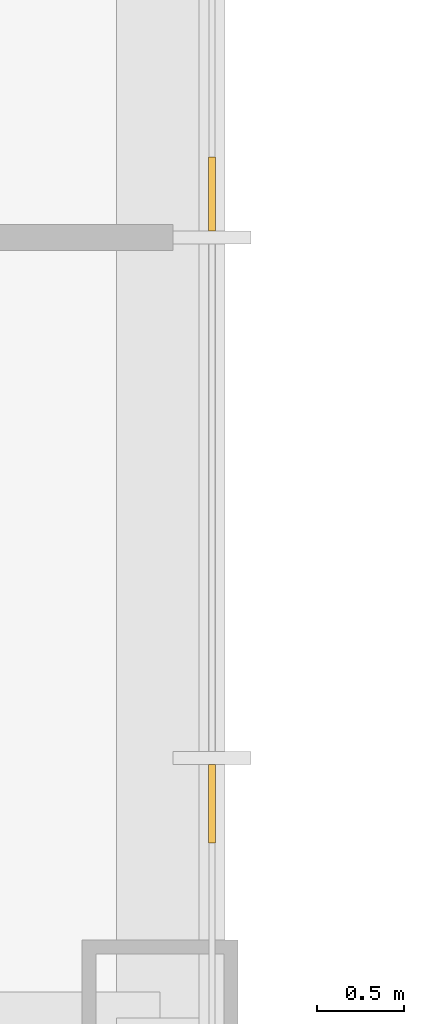
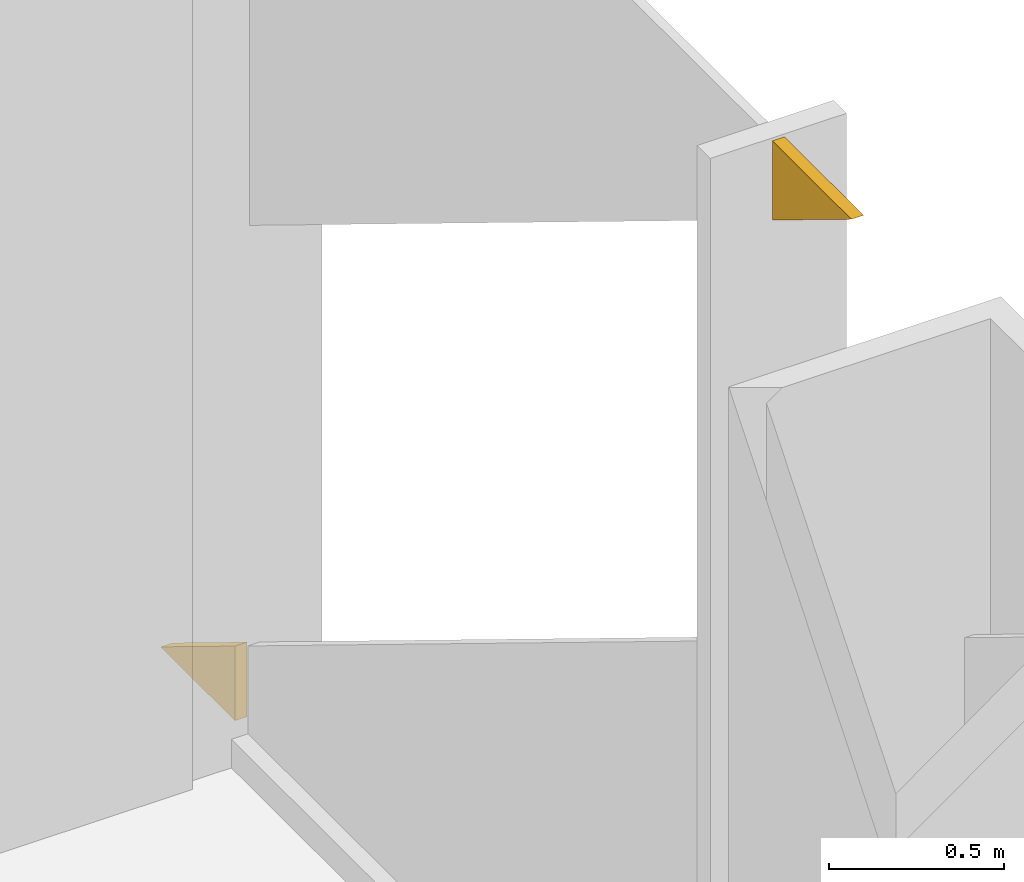
# One storey, part 15 of 17: 2 coverings.
"""IFC4 building model written with IfcOpenShell, lengths in metres."""

import ifcopenshell
import ifcopenshell.guid

model = None  # the IFC model being written
_history = None  # IfcOwnerHistory: only IFC2X3 demands one
_inside = {}  # id of a spatial element -> (the spatial element, [elements in it])
_under = {}  # id of a project, library or spatial element -> (it, [spatial elements below it])
_declared = {}  # id of a project -> (the project, [libraries it declares])
_typed = {}  # id of a type object -> (the type object, [elements of that type])
_made_of = {}  # id of a material, layer set ... -> (it, [elements and type objects made of it])


def new_model(schema):
    """Start an empty IFC model of exactly this schema.

    Asked for "IFC4X3", IfcOpenShell would pick the latest addendum, in which some entities
    have other attributes; the version numbers below select the first issue.
    IFC2X3 requires an IfcOwnerHistory on every rooted entity: one is made here for all.
    """
    global model, _history
    if schema == "IFC4X3":
        model = ifcopenshell.file(schema_version=(4, 3, 0, 0))
    else:
        model = ifcopenshell.file(schema=schema)
    _inside.clear()
    _under.clear()
    _declared.clear()
    _typed.clear()
    _made_of.clear()
    _history = None
    if model.schema == "IFC2X3":
        org = make("IfcOrganization", Name="unknown")
        user = make(
            "IfcPersonAndOrganization",
            ThePerson=make("IfcPerson", FamilyName="unknown"),
            TheOrganization=org,
        )
        app = make(
            "IfcApplication",
            ApplicationDeveloper=org,
            Version="unknown",
            ApplicationFullName="unknown",
            ApplicationIdentifier="unknown",
        )
        _history = make(
            "IfcOwnerHistory",
            OwningUser=user,
            OwningApplication=app,
            ChangeAction="ADDED",
            CreationDate=0,
        )
    return model


def make(cls, **values):
    """One entity of the class cls with the attributes given. An attribute that is None is left unset."""
    return model.create_entity(
        cls, **{name: value for name, value in values.items() if value is not None}
    )


def rooted(cls, **values):
    """An entity with a GlobalId (a new one), such as an element, a storey or a relation."""
    return make(cls, GlobalId=ifcopenshell.guid.new(), OwnerHistory=_history, **values)


def si_unit(unit_type, name, prefix=None):
    """IfcSIUnit, for example si_unit("LENGTHUNIT", "METRE", prefix="MILLI")."""
    return make("IfcSIUnit", UnitType=unit_type, Prefix=prefix, Name=name)


def assignment(units):
    """IfcUnitAssignment: the units of a project."""
    return None if units is None else make("IfcUnitAssignment", Units=units)


def point(xyz):
    """IfcCartesianPoint."""
    return None if xyz is None else make("IfcCartesianPoint", Coordinates=xyz)


def direction(xyz):
    """IfcDirection."""
    return None if xyz is None else make("IfcDirection", DirectionRatios=xyz)


def frame(location, z_axis=None, x_axis=None):
    """IfcAxis2Placement3D, a coordinate frame: its origin and axes. An axis left out is left unset."""
    return make(
        "IfcAxis2Placement3D",
        Location=point(location),
        Axis=direction(z_axis),
        RefDirection=direction(x_axis),
    )


def origin():
    """The frame at (0, 0, 0) with its axes left unset."""
    return frame((0.0, 0.0, 0.0))


def place(relative_to, where):
    """IfcLocalPlacement: puts the frame where relative to a parent placement (None: the world)."""
    return make(
        "IfcLocalPlacement", PlacementRelTo=relative_to, RelativePlacement=where
    )


def context(
    kind, dimensions, precision=None, world=None, true_north=None, identifier=None
):
    """IfcGeometricRepresentationContext, for example the 3D "Model" context."""
    return make(
        "IfcGeometricRepresentationContext",
        ContextIdentifier=identifier,
        ContextType=kind,
        CoordinateSpaceDimension=dimensions,
        Precision=precision,
        WorldCoordinateSystem=world,
        TrueNorth=true_north,
    )


def subcontext(parent, identifier, kind, view, scale=None):
    """IfcGeometricRepresentationSubContext, for example "Body" below "Model"."""
    return make(
        "IfcGeometricRepresentationSubContext",
        ContextIdentifier=identifier,
        ContextType=kind,
        ParentContext=parent,
        TargetScale=scale,
        TargetView=view,
    )


def project(units=None, contexts=None):
    """IfcProject with its units and contexts."""
    return rooted(
        "IfcProject",
        Name="project",
        RepresentationContexts=contexts,
        UnitsInContext=assignment(units),
    )


def spatial(cls, under=None, at=None, **own):
    """A site, building, storey or space (cls), placed at a placement, below another one or the project."""
    s = rooted(cls, ObjectPlacement=at, **own)
    if under is not None:
        _under.setdefault(under.id(), (under, []))[1].append(s)
    return s


def polyline(points):
    """IfcPolyline through the points."""
    return make("IfcPolyline", Points=[point(p) for p in points])


def outline(outer, holes=None, kind="AREA"):
    """IfcArbitraryClosedProfileDef: a profile drawn as a closed curve; with holes, ...WithVoids."""
    if holes is None:
        return make("IfcArbitraryClosedProfileDef", ProfileType=kind, OuterCurve=outer)
    return make(
        "IfcArbitraryProfileDefWithVoids",
        ProfileType=kind,
        OuterCurve=outer,
        InnerCurves=holes,
    )


def extrude(swept, where, along, depth):
    """IfcExtrudedAreaSolid: the profile swept, set in the frame where, extruded along a direction by depth."""
    return make(
        "IfcExtrudedAreaSolid",
        SweptArea=swept,
        Position=where,
        ExtrudedDirection=direction(along),
        Depth=depth,
    )


def shape(context_of_items, identifier, shape_type, items):
    """IfcShapeRepresentation: the items that make up one representation, for example the "Body"."""
    return make(
        "IfcShapeRepresentation",
        ContextOfItems=context_of_items,
        RepresentationIdentifier=identifier,
        RepresentationType=shape_type,
        Items=items,
    )


def material(Name=None, Category=None):
    """IfcMaterial."""
    return make("IfcMaterial", Name=Name, Category=Category)


def layer(
    of_material, thickness, ventilated=None, Name=None, Category=None, Priority=None
):
    """IfcMaterialLayer: one layer of a wall or slab, of a material (None: an air gap)."""
    return make(
        "IfcMaterialLayer",
        Material=of_material,
        LayerThickness=thickness,
        IsVentilated=ventilated,
        Name=Name,
        Category=Category,
        Priority=Priority,
    )


def layer_set(layers, Name=None):
    """IfcMaterialLayerSet."""
    return make("IfcMaterialLayerSet", MaterialLayers=layers, LayerSetName=Name)


def made_of(thing, what):
    """Note that an element or type object is made of a material, layer set ...; save() writes the relation."""
    if what is not None:
        _made_of.setdefault(what.id(), (what, []))[1].append(thing)
    return thing


def type_object(cls, material=None, **own):
    """A type object (cls), such as IfcWallType, which elements share."""
    return made_of(rooted(cls, **own), material)


def element(
    cls,
    number,
    at=None,
    inside=None,
    cuts=None,
    type_object=None,
    material=None,
    context=None,
    identifier="Body",
    shape_type=None,
    held_by="IfcProductDefinitionShape",
    body=None,
    shapes=None,
    **own,
):
    """One element of the class cls, such as IfcWall. Its Tag is "e" and its number.

    at: its placement. inside: the storey or other place that contains it. cuts: it is an
    opening in that element (IfcRelVoidsElement). A single representation is given by context,
    identifier, shape_type and body (its items); several are given by shapes. held_by: the class
    of the entity that holds the representations. save() writes the other relations.
    """
    e = rooted(cls, Tag="e%d" % number, ObjectPlacement=at, **own)
    if body is not None:
        shapes = [shape(context, identifier, shape_type, body)]
    if shapes is not None:
        e.Representation = make(held_by, Representations=shapes)
    if inside is not None:
        _inside.setdefault(inside.id(), (inside, []))[1].append(e)
    if cuts is not None:
        rooted(
            "IfcRelVoidsElement", RelatingBuildingElement=cuts, RelatedOpeningElement=e
        )
    if type_object is not None:
        _typed.setdefault(type_object.id(), (type_object, []))[1].append(e)
    return made_of(e, material)


def aggregate(whole, parts):
    """IfcRelAggregates: a whole, such as a stair, and the parts it consists of."""
    return rooted("IfcRelAggregates", RelatingObject=whole, RelatedObjects=parts)


def save(model, path):
    """Write the relations noted so far, then the file.

    IfcRelAggregates (storeys below a building ...), IfcRelContainedInSpatialStructure (elements
    in a storey), IfcRelDefinesByType, IfcRelAssociatesMaterial and IfcRelDeclares: one each for
    every whole, place, type object, material and project.
    """
    for whole, parts in _under.values():
        aggregate(whole, parts)
    for where, things in _inside.values():
        rooted(
            "IfcRelContainedInSpatialStructure",
            RelatedElements=things,
            RelatingStructure=where,
        )
    for kind, things in _typed.values():
        rooted("IfcRelDefinesByType", RelatedObjects=things, RelatingType=kind)
    for what, things in _made_of.values():
        rooted("IfcRelAssociatesMaterial", RelatedObjects=things, RelatingMaterial=what)
    for by, libraries in _declared.values():
        rooted("IfcRelDeclares", RelatingContext=by, RelatedDefinitions=libraries)
    model.write(path)


model = new_model("IFC4")

# Units and contexts
model_context = context("Model", 3, precision=1e-05, world=origin(), true_north=direction((0.0, 1.0)))
body_context = subcontext(model_context, "Body", "Model", "MODEL_VIEW")
ifc_project = project(units=[si_unit("LENGTHUNIT", "METRE"), si_unit("AREAUNIT", "SQUARE_METRE"), si_unit("VOLUMEUNIT", "CUBIC_METRE"), si_unit("PLANEANGLEUNIT", "RADIAN"), si_unit("MASSUNIT", "GRAM", prefix="KILO")], contexts=[model_context])

# Site, building, storey
site_placement = place(None, origin())
site = spatial("IfcSite", under=ifc_project, at=site_placement, CompositionType="ELEMENT")
building_placement = place(site_placement, origin())
building = spatial("IfcBuilding", under=site, at=building_placement, Name="Malebo Sky Hospital", CompositionType="ELEMENT")
storey_placement = place(building_placement, frame((0.0, 0.0, 51.0)))
storey = spatial("IfcBuildingStorey", under=building, at=storey_placement, Name="L11", CompositionType="ELEMENT", Elevation=51.0)

# Coverings
ifc_material = material(Name="Anodised aluminium, natural silver insulated infill panel", Category="aluminium")
ifc_layer = layer(ifc_material, 0.0400390625)
ifc_layer_set = layer_set([ifc_layer], Name="BRACE INFILL PANEL 40")
covering_type = type_object("IfcCoveringType", Name="BRACE INFILL PANEL 40", PredefinedType="CLADDING", material=ifc_layer_set)
covering_1_placement = place(storey_placement, frame((85.5, 53.25, 0.10009765625), z_axis=(0.0, 0.0, 1.0), x_axis=(0.0, -1.0, 0.0)))
element("IfcCovering", 1, at=covering_1_placement, inside=storey, type_object=covering_type, Name="Brace infill panel 10.1", PredefinedType="CLADDING", context=body_context, shape_type="SweptSolid", body=[
    extrude(outline(polyline([(-0.212646484375, 0.0), (0.212646484375, 0.0), (0.212646484375, 0.2607421875), (-0.212646484375, 0.0)])), frame((0.0, 0.02001953125, 0.0), z_axis=(0.0, -1.0, 0.0), x_axis=(1.0, 0.0, 0.0)), (0.0, 0.0, 1.0), 0.0400390625),
])
covering_2_placement = place(storey_placement, frame((85.5, 49.736572265625, 3.713134765625), z_axis=(0.0, 0.0, 1.0), x_axis=(0.0, -1.0, 0.0)))
element("IfcCovering", 2, at=covering_2_placement, inside=storey, type_object=covering_type, Name="Brace infill panel 12.1", PredefinedType="CLADDING", context=body_context, shape_type="SweptSolid", body=[
    extrude(outline(polyline([(-0.225830078125, 0.0), (0.225830078125, 0.27685546875), (-0.225830078125, 0.27685546875), (-0.225830078125, 0.0)])), frame((0.0, 0.02001953125, 0.0), z_axis=(0.0, -1.0, 0.0), x_axis=(1.0, 0.0, 0.0)), (0.0, 0.0, 1.0), 0.0400390625),
])

save(model, "model.ifc")
